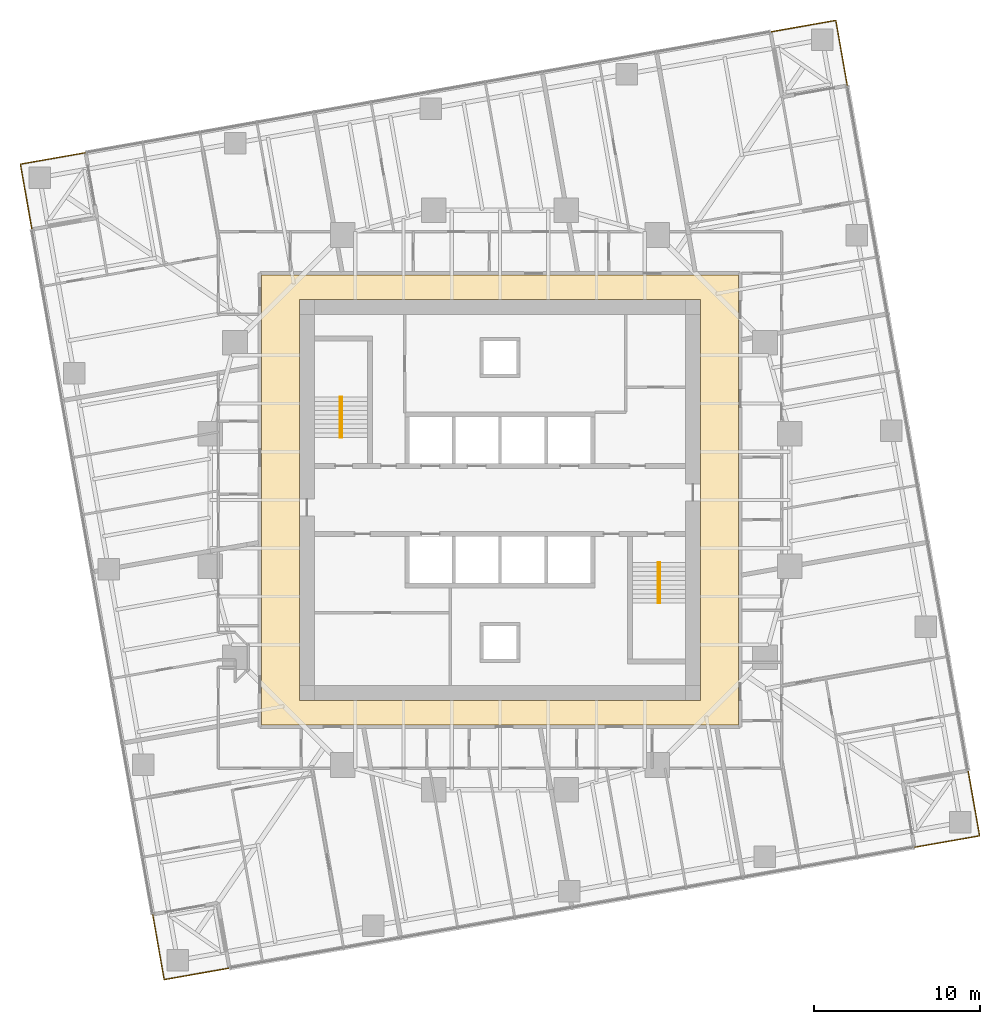
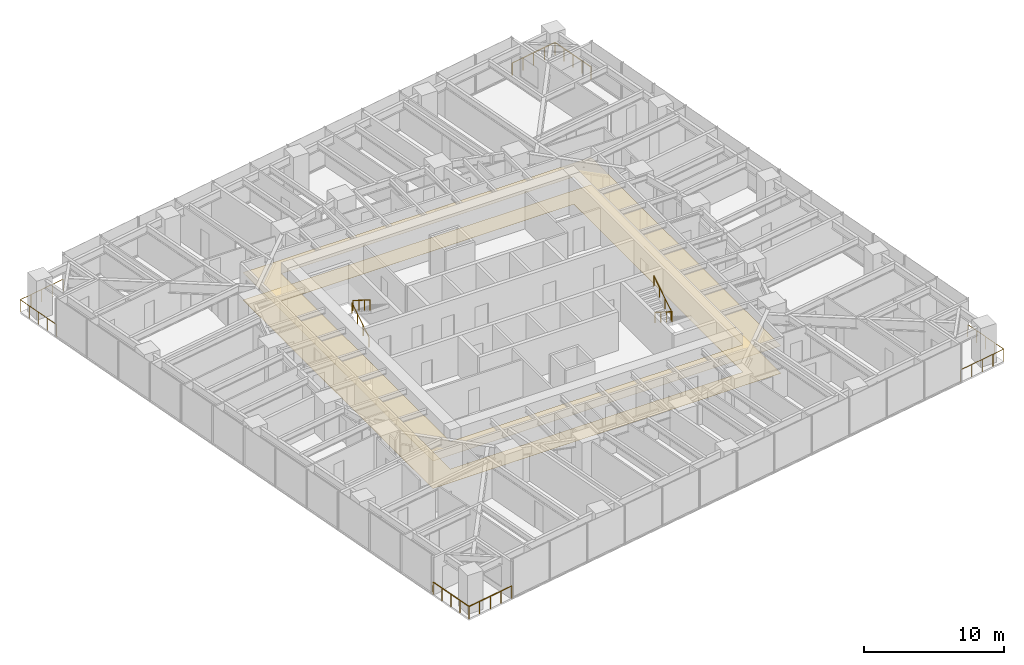
# One storey, part 14 of 14: 8 railings, 2 coverings, 2 elements without a shape of their own.
"""IFC4 building model written with IfcOpenShell, lengths in metres."""

from ifc_helpers import new_model, si_unit, direction, frame, origin, origin_2d, place, context, subcontext, project, spatial, polyline, circle, outline, extrude, material, layer, layer_set, type_object, element, aggregate, save


model = new_model("IFC4")

# Units and contexts
model_context = context("Model", 3, precision=1e-05, world=origin(), true_north=direction((0.0, 1.0)))
body_context = subcontext(model_context, "Body", "Model", "MODEL_VIEW")
ifc_project = project(units=[si_unit("LENGTHUNIT", "METRE"), si_unit("AREAUNIT", "SQUARE_METRE"), si_unit("VOLUMEUNIT", "CUBIC_METRE"), si_unit("PLANEANGLEUNIT", "RADIAN"), si_unit("MASSUNIT", "GRAM", prefix="KILO")], contexts=[model_context])

# Site, building, storey
site_placement = place(None, origin())
site = spatial("IfcSite", under=ifc_project, at=site_placement, CompositionType="ELEMENT")
building_placement = place(site_placement, origin())
building = spatial("IfcBuilding", under=site, at=building_placement, Name="Torsade Residences", CompositionType="ELEMENT")
storey_placement = place(building_placement, frame((0.0, 0.0, 93.0)))
storey = spatial("IfcBuildingStorey", under=building, at=storey_placement, Name="L25", CompositionType="ELEMENT", Elevation=93.0)

# Coverings
ifc_material_1 = material(Name="Nylon carpet tile on underlay", Category="textile")
ifc_layer_1 = layer(ifc_material_1, 0.010009765625)
ifc_layer_set_1 = layer_set([ifc_layer_1], Name="Nylon carpet tile on underlay")
covering_type_1 = type_object("IfcCoveringType", Name="CORRIDOR CARPET TILE 10", PredefinedType="FLOORING", material=ifc_layer_set_1)
covering_1_placement = place(storey_placement, origin())
element("IfcCovering", 1, at=covering_1_placement, inside=storey, type_object=covering_type_1, Name="Corridor carpet L25", PredefinedType="FLOORING", context=body_context, shape_type="SweptSolid", body=[
    extrude(outline(polyline([(54.39990234375, 16.39990234375), (54.39990234375, 43.60009765625), (25.60009765625, 43.60009765625), (25.60009765625, 16.39990234375), (54.39990234375, 16.39990234375)]), holes=[polyline([(52.10009765625, 42.10009765625), (27.89990234375, 42.10009765625), (27.89990234375, 17.89990234375), (52.10009765625, 17.89990234375), (52.10009765625, 42.10009765625)])]), origin(), (0.0, 0.0, 1.0), 0.010009765625),
])
ifc_material_2 = material(Name="Plasterboard on suspended steel grid", Category="steel")
ifc_layer_2 = layer(ifc_material_2, 0.012939453125)
ifc_layer_set_2 = layer_set([ifc_layer_2], Name="Plasterboard on suspended steel grid")
covering_type_2 = type_object("IfcCoveringType", Name="CORRIDOR SUSPENDED CEILING 13", PredefinedType="CEILING", material=ifc_layer_set_2)
covering_2_placement = place(storey_placement, frame((0.0, 0.0, 2.39990234375)))
element("IfcCovering", 2, at=covering_2_placement, inside=storey, type_object=covering_type_2, Name="Corridor ceiling L25", PredefinedType="CEILING", context=body_context, shape_type="SweptSolid", body=[
    extrude(outline(polyline([(54.39990234375, 16.39990234375), (54.39990234375, 43.60009765625), (25.60009765625, 43.60009765625), (25.60009765625, 16.39990234375), (54.39990234375, 16.39990234375)]), holes=[polyline([(52.10009765625, 42.10009765625), (27.89990234375, 42.10009765625), (27.89990234375, 17.89990234375), (52.10009765625, 17.89990234375), (52.10009765625, 42.10009765625)])]), origin(), (0.0, 0.0, 1.0), 0.01318359375),
])

# Stair, railings
ifc_material_3 = material(Name="Precast concrete 40 MPa", Category="concrete")
stair_type = type_object("IfcStairType", Name="HALF-TURN FIRE STAIR 1500x3400", PredefinedType="HALF_TURN_STAIR", material=ifc_material_3)
stair_1_placement = place(storey_placement, origin())
stair_1 = element("IfcStair", 3, at=stair_1_placement, inside=storey, type_object=stair_type, Name="Stair ST1 L25", PredefinedType="HALF_TURN_STAIR")
ifc_material_4 = material(Name="Steel handrail", Category="steel")
railing_type_1 = type_object("IfcRailingType", Name="STAIR HANDRAIL 900", PredefinedType="HANDRAIL", material=ifc_material_4)
railing_1_placement = place(storey_placement, frame((30.35009765625, 33.780029296875, 0.169921875)))
railing_1 = element("IfcRailing", 4, at=railing_1_placement, type_object=railing_type_1, Name="Handrail ST1 flight 1 L25", PredefinedType="HANDRAIL", context=body_context, shape_type="SweptSolid", body=[
    extrude(circle(Radius=0.02392578125, at=origin_2d()), frame((0.0, 0.0, 0.8759765625), z_axis=(0.0, 0.846221481393, 0.532831309544), x_axis=(-1.0, 0.0, 0.0)), (0.0, 0.0, 1.0), 2.87158203125),
    extrude(circle(Radius=0.02099609375, at=origin_2d()), origin(), (0.0, 0.0, 1.0), 0.851806640625),
    extrude(circle(Radius=0.02099609375, at=origin_2d()), frame((0.0, 0.81005859375, 0.510009765625)), (0.0, 0.0, 1.0), 0.851806640625),
    extrude(circle(Radius=0.02099609375, at=origin_2d()), frame((0.0, 1.619873046875, 1.02001953125)), (0.0, 0.0, 1.0), 0.851806640625),
    extrude(circle(Radius=0.02099609375, at=origin_2d()), frame((0.0, 2.429931640625, 1.530029296875)), (0.0, 0.0, 1.0), 0.851806640625),
])
railing_2_placement = place(storey_placement, frame((30.449951171875, 36.2099609375, 1.8701171875)))
railing_2 = element("IfcRailing", 5, at=railing_2_placement, type_object=railing_type_1, Name="Handrail ST1 flight 2 L25", PredefinedType="HANDRAIL", context=body_context, shape_type="SweptSolid", body=[
    extrude(circle(Radius=0.02392578125, at=origin_2d()), frame((0.0, 0.0, 0.8759765625), z_axis=(0.0, -0.846259816676, 0.532770422113), x_axis=(1.0, 0.0, 0.0)), (0.0, 0.0, 1.0), 2.871337890625),
    extrude(circle(Radius=0.02099609375, at=origin_2d()), origin(), (0.0, 0.0, 1.0), 0.851806640625),
    extrude(circle(Radius=0.02099609375, at=origin_2d()), frame((0.0, -0.81005859375, 0.510009765625)), (0.0, 0.0, 1.0), 0.851806640625),
    extrude(circle(Radius=0.02099609375, at=origin_2d()), frame((0.0, -1.619873046875, 1.019775390625)), (0.0, 0.0, 1.0), 0.851806640625),
    extrude(circle(Radius=0.02099609375, at=origin_2d()), frame((0.0, -2.429931640625, 1.52978515625)), (0.0, 0.0, 1.0), 0.851806640625),
])
aggregate(stair_1, [railing_1, railing_2])

stair_2_placement = place(storey_placement, origin())
stair_2 = element("IfcStair", 6, at=stair_2_placement, inside=storey, type_object=stair_type, Name="Stair ST2 L25", PredefinedType="HALF_TURN_STAIR")
railing_3_placement = place(storey_placement, frame((49.64990234375, 26.219970703125, 0.169921875)))
railing_3 = element("IfcRailing", 7, at=railing_3_placement, type_object=railing_type_1, Name="Handrail ST2 flight 1 L25", PredefinedType="HANDRAIL", context=body_context, shape_type="SweptSolid", body=[
    extrude(circle(Radius=0.02392578125, at=origin_2d()), frame((0.0, 0.0, 0.8759765625), z_axis=(0.0, -0.846221481393, 0.532831309544), x_axis=(1.0, 0.0, 0.0)), (0.0, 0.0, 1.0), 2.87158203125),
    extrude(circle(Radius=0.02099609375, at=origin_2d()), origin(), (0.0, 0.0, 1.0), 0.851806640625),
    extrude(circle(Radius=0.02099609375, at=origin_2d()), frame((0.0, -0.81005859375, 0.510009765625)), (0.0, 0.0, 1.0), 0.851806640625),
    extrude(circle(Radius=0.02099609375, at=origin_2d()), frame((0.0, -1.619873046875, 1.02001953125)), (0.0, 0.0, 1.0), 0.851806640625),
    extrude(circle(Radius=0.02099609375, at=origin_2d()), frame((0.0, -2.429931640625, 1.530029296875)), (0.0, 0.0, 1.0), 0.851806640625),
])
railing_4_placement = place(storey_placement, frame((49.550048828125, 23.7900390625, 1.8701171875)))
railing_4 = element("IfcRailing", 8, at=railing_4_placement, type_object=railing_type_1, Name="Handrail ST2 flight 2 L25", PredefinedType="HANDRAIL", context=body_context, shape_type="SweptSolid", body=[
    extrude(circle(Radius=0.02392578125, at=origin_2d()), frame((0.0, 0.0, 0.8759765625), z_axis=(0.0, 0.846259816676, 0.532770422113), x_axis=(-1.0, 0.0, 0.0)), (0.0, 0.0, 1.0), 2.871337890625),
    extrude(circle(Radius=0.02099609375, at=origin_2d()), origin(), (0.0, 0.0, 1.0), 0.851806640625),
    extrude(circle(Radius=0.02099609375, at=origin_2d()), frame((0.0, 0.81005859375, 0.510009765625)), (0.0, 0.0, 1.0), 0.851806640625),
    extrude(circle(Radius=0.02099609375, at=origin_2d()), frame((0.0, 1.619873046875, 1.019775390625)), (0.0, 0.0, 1.0), 0.851806640625),
    extrude(circle(Radius=0.02099609375, at=origin_2d()), frame((0.0, 2.429931640625, 1.52978515625)), (0.0, 0.0, 1.0), 0.851806640625),
])
aggregate(stair_2, [railing_3, railing_4])

# Railings
ifc_material_5 = material(Name="Laminated glass balustrade", Category="glass")
railing_type_2 = type_object("IfcRailingType", Name="TERRACE GLASS BALUSTRADE 1100", PredefinedType="BALUSTRADE", material=ifc_material_5)
railing_5_placement = place(storey_placement, frame((65.022216796875, 9.0263671875, 0.0)))
element("IfcRailing", 9, at=railing_5_placement, inside=storey, type_object=railing_type_2, Name="Terrace balustrade SE L25", PredefinedType="BALUSTRADE", context=body_context, shape_type="SweptSolid", body=[
    extrude(circle(Radius=0.02392578125, at=origin_2d()), frame((0.0, 0.0, 1.076171875), z_axis=(0.984808127031, 0.173646056486, 0.0), x_axis=(-0.173646056486, 0.984808127031, 0.0)), (0.0, 0.0, 1.0), 4.0),
    extrude(circle(Radius=0.02392578125, at=origin_2d()), frame((3.939208984375, 0.694580078125, 1.076171875), z_axis=(-0.173646056486, 0.984808127031, 0.0), x_axis=(-0.984808127031, -0.173646056486, 0.0)), (0.0, 0.0, 1.0), 4.0),
    extrude(circle(Radius=0.02099609375, at=origin_2d()), origin(), (0.0, 0.0, 1.0), 1.052001953125),
    extrude(circle(Radius=0.02099609375, at=origin_2d()), frame((0.98486328125, 0.173583984375, 0.0)), (0.0, 0.0, 1.0), 1.052001953125),
    extrude(circle(Radius=0.02099609375, at=origin_2d()), frame((1.9697265625, 0.34716796875, 0.0)), (0.0, 0.0, 1.0), 1.052001953125),
    extrude(circle(Radius=0.02099609375, at=origin_2d()), frame((2.954345703125, 0.52099609375, 0.0)), (0.0, 0.0, 1.0), 1.052001953125),
    extrude(circle(Radius=0.02099609375, at=origin_2d()), frame((3.939208984375, 0.694580078125, 0.0)), (0.0, 0.0, 1.0), 1.052001953125),
    extrude(circle(Radius=0.02099609375, at=origin_2d()), frame((3.765625, 1.679443359375, 0.0)), (0.0, 0.0, 1.0), 1.052001953125),
    extrude(circle(Radius=0.02099609375, at=origin_2d()), frame((3.591796875, 2.6640625, 0.0)), (0.0, 0.0, 1.0), 1.052001953125),
    extrude(circle(Radius=0.02099609375, at=origin_2d()), frame((3.418212890625, 3.64892578125, 0.0)), (0.0, 0.0, 1.0), 1.052001953125),
    extrude(circle(Radius=0.02099609375, at=origin_2d()), frame((3.24462890625, 4.6337890625, 0.0)), (0.0, 0.0, 1.0), 1.052001953125),
])
railing_6_placement = place(storey_placement, frame((60.9736328125, 55.022216796875, 0.0)))
element("IfcRailing", 10, at=railing_6_placement, inside=storey, type_object=railing_type_2, Name="Terrace balustrade NE L25", PredefinedType="BALUSTRADE", context=body_context, shape_type="SweptSolid", body=[
    extrude(circle(Radius=0.02392578125, at=origin_2d()), frame((0.0, 0.0, 1.076171875), z_axis=(-0.173646056486, 0.984808127031, 0.0), x_axis=(-0.984808127031, -0.173646056486, 0.0)), (0.0, 0.0, 1.0), 4.0),
    extrude(circle(Radius=0.02392578125, at=origin_2d()), frame((-0.694580078125, 3.939208984375, 1.076171875), z_axis=(-0.984808127031, -0.173646056486, 0.0), x_axis=(0.173646056486, -0.984808127031, 0.0)), (0.0, 0.0, 1.0), 4.0),
    extrude(circle(Radius=0.02099609375, at=origin_2d()), origin(), (0.0, 0.0, 1.0), 1.052001953125),
    extrude(circle(Radius=0.02099609375, at=origin_2d()), frame((-0.173583984375, 0.98486328125, 0.0)), (0.0, 0.0, 1.0), 1.052001953125),
    extrude(circle(Radius=0.02099609375, at=origin_2d()), frame((-0.34716796875, 1.9697265625, 0.0)), (0.0, 0.0, 1.0), 1.052001953125),
    extrude(circle(Radius=0.02099609375, at=origin_2d()), frame((-0.52099609375, 2.954345703125, 0.0)), (0.0, 0.0, 1.0), 1.052001953125),
    extrude(circle(Radius=0.02099609375, at=origin_2d()), frame((-0.694580078125, 3.939208984375, 0.0)), (0.0, 0.0, 1.0), 1.052001953125),
    extrude(circle(Radius=0.02099609375, at=origin_2d()), frame((-1.679443359375, 3.765625, 0.0)), (0.0, 0.0, 1.0), 1.052001953125),
    extrude(circle(Radius=0.02099609375, at=origin_2d()), frame((-2.6640625, 3.591796875, 0.0)), (0.0, 0.0, 1.0), 1.052001953125),
    extrude(circle(Radius=0.02099609375, at=origin_2d()), frame((-3.64892578125, 3.418212890625, 0.0)), (0.0, 0.0, 1.0), 1.052001953125),
    extrude(circle(Radius=0.02099609375, at=origin_2d()), frame((-4.6337890625, 3.24462890625, 0.0)), (0.0, 0.0, 1.0), 1.052001953125),
])
railing_7_placement = place(storey_placement, frame((14.977783203125, 50.9736328125, 0.0)))
element("IfcRailing", 11, at=railing_7_placement, inside=storey, type_object=railing_type_2, Name="Terrace balustrade NW L25", PredefinedType="BALUSTRADE", context=body_context, shape_type="SweptSolid", body=[
    extrude(circle(Radius=0.02392578125, at=origin_2d()), frame((0.0, 0.0, 1.076171875), z_axis=(-0.984808127031, -0.173646056486, 0.0), x_axis=(0.173646056486, -0.984808127031, 0.0)), (0.0, 0.0, 1.0), 4.0),
    extrude(circle(Radius=0.02392578125, at=origin_2d()), frame((-3.939208984375, -0.694580078125, 1.076171875), z_axis=(0.173646056486, -0.984808127031, 0.0), x_axis=(0.984808127031, 0.173646056486, 0.0)), (0.0, 0.0, 1.0), 4.0),
    extrude(circle(Radius=0.02099609375, at=origin_2d()), origin(), (0.0, 0.0, 1.0), 1.052001953125),
    extrude(circle(Radius=0.02099609375, at=origin_2d()), frame((-0.98486328125, -0.173583984375, 0.0)), (0.0, 0.0, 1.0), 1.052001953125),
    extrude(circle(Radius=0.02099609375, at=origin_2d()), frame((-1.9697265625, -0.34716796875, 0.0)), (0.0, 0.0, 1.0), 1.052001953125),
    extrude(circle(Radius=0.02099609375, at=origin_2d()), frame((-2.954345703125, -0.52099609375, 0.0)), (0.0, 0.0, 1.0), 1.052001953125),
    extrude(circle(Radius=0.02099609375, at=origin_2d()), frame((-3.939208984375, -0.694580078125, 0.0)), (0.0, 0.0, 1.0), 1.052001953125),
    extrude(circle(Radius=0.02099609375, at=origin_2d()), frame((-3.765625, -1.679443359375, 0.0)), (0.0, 0.0, 1.0), 1.052001953125),
    extrude(circle(Radius=0.02099609375, at=origin_2d()), frame((-3.591796875, -2.6640625, 0.0)), (0.0, 0.0, 1.0), 1.052001953125),
    extrude(circle(Radius=0.02099609375, at=origin_2d()), frame((-3.418212890625, -3.64892578125, 0.0)), (0.0, 0.0, 1.0), 1.052001953125),
    extrude(circle(Radius=0.02099609375, at=origin_2d()), frame((-3.24462890625, -4.6337890625, 0.0)), (0.0, 0.0, 1.0), 1.052001953125),
])
railing_8_placement = place(storey_placement, frame((19.0263671875, 4.977783203125, 0.0)))
element("IfcRailing", 12, at=railing_8_placement, inside=storey, type_object=railing_type_2, Name="Terrace balustrade SW L25", PredefinedType="BALUSTRADE", context=body_context, shape_type="SweptSolid", body=[
    extrude(circle(Radius=0.02392578125, at=origin_2d()), frame((0.0, 0.0, 1.076171875), z_axis=(0.173646056486, -0.984808127031, 0.0), x_axis=(0.984808127031, 0.173646056486, 0.0)), (0.0, 0.0, 1.0), 4.0),
    extrude(circle(Radius=0.02392578125, at=origin_2d()), frame((0.694580078125, -3.939208984375, 1.076171875), z_axis=(0.984808127031, 0.173646056486, 0.0), x_axis=(-0.173646056486, 0.984808127031, 0.0)), (0.0, 0.0, 1.0), 4.0),
    extrude(circle(Radius=0.02099609375, at=origin_2d()), origin(), (0.0, 0.0, 1.0), 1.052001953125),
    extrude(circle(Radius=0.02099609375, at=origin_2d()), frame((0.173583984375, -0.98486328125, 0.0)), (0.0, 0.0, 1.0), 1.052001953125),
    extrude(circle(Radius=0.02099609375, at=origin_2d()), frame((0.34716796875, -1.9697265625, 0.0)), (0.0, 0.0, 1.0), 1.052001953125),
    extrude(circle(Radius=0.02099609375, at=origin_2d()), frame((0.52099609375, -2.954345703125, 0.0)), (0.0, 0.0, 1.0), 1.052001953125),
    extrude(circle(Radius=0.02099609375, at=origin_2d()), frame((0.694580078125, -3.939208984375, 0.0)), (0.0, 0.0, 1.0), 1.052001953125),
    extrude(circle(Radius=0.02099609375, at=origin_2d()), frame((1.679443359375, -3.765625, 0.0)), (0.0, 0.0, 1.0), 1.052001953125),
    extrude(circle(Radius=0.02099609375, at=origin_2d()), frame((2.6640625, -3.591796875, 0.0)), (0.0, 0.0, 1.0), 1.052001953125),
    extrude(circle(Radius=0.02099609375, at=origin_2d()), frame((3.64892578125, -3.418212890625, 0.0)), (0.0, 0.0, 1.0), 1.052001953125),
    extrude(circle(Radius=0.02099609375, at=origin_2d()), frame((4.6337890625, -3.24462890625, 0.0)), (0.0, 0.0, 1.0), 1.052001953125),
])

save(model, "model.ifc")
